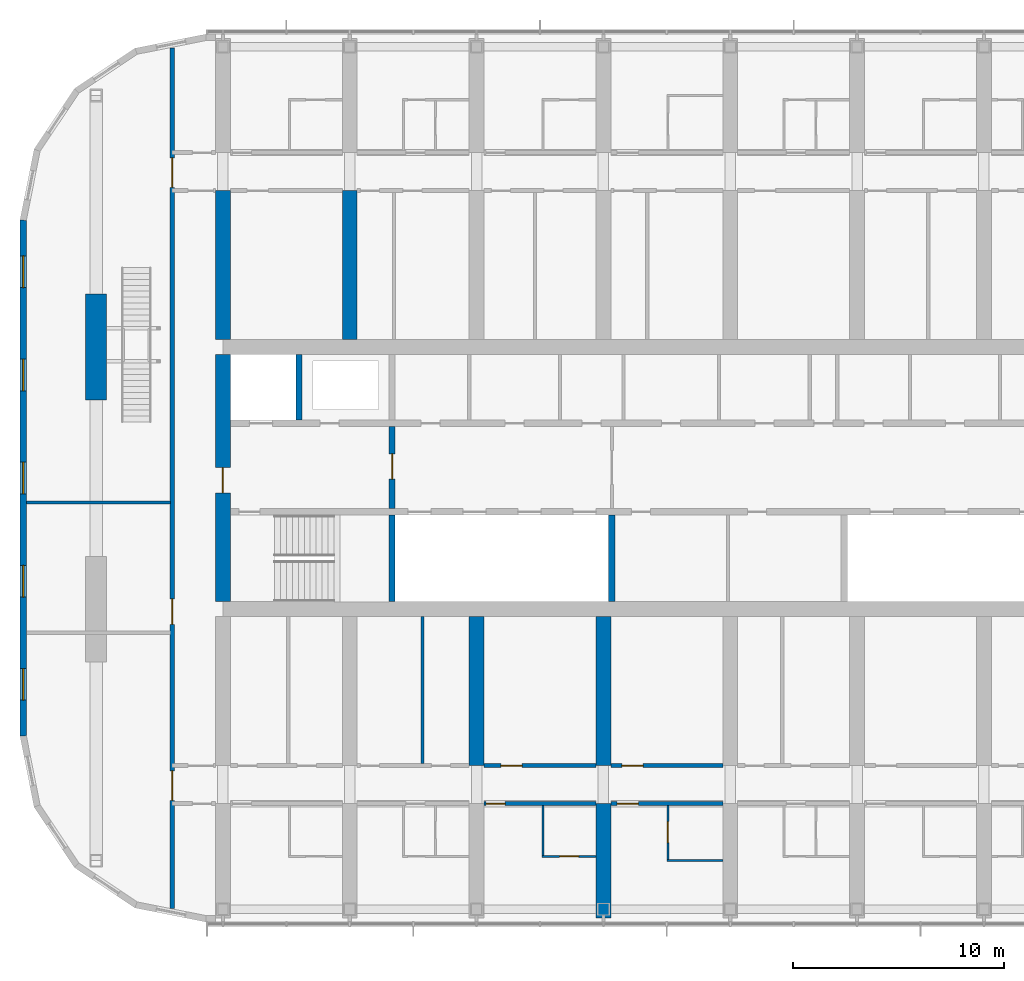
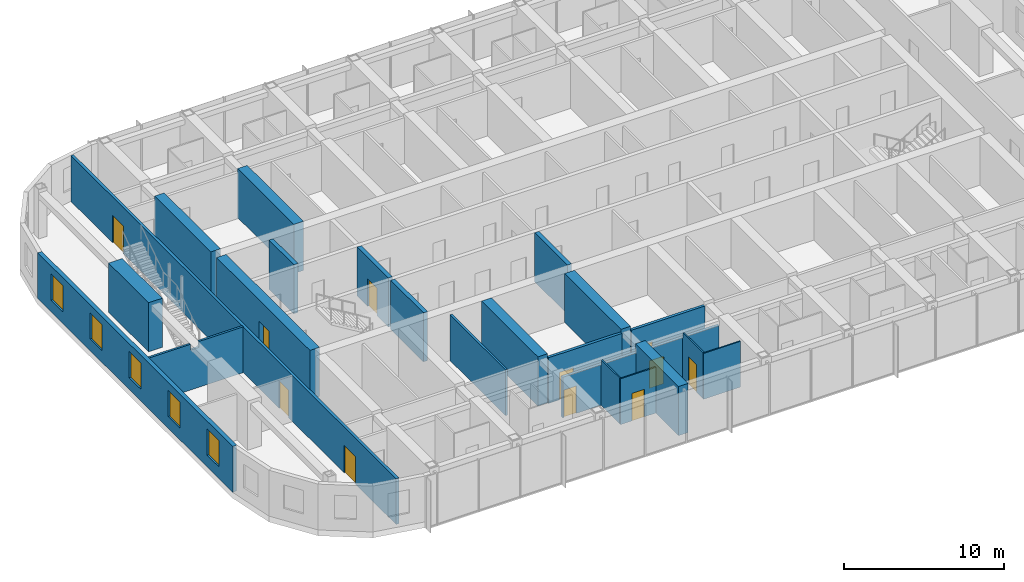
# One storey, part 14 of 28: 23 walls, 11 doors, 5 windows, 16 openings.
"""IFC4 building model written with IfcOpenShell, lengths in metres."""

from ifc_helpers import new_model, si_unit, direction, frame, frame_2d, origin, place, context, subcontext, project, spatial, polyline, rectangle, outline, extrude, material, layer, layer_set, type_object, element, fill, save


model = new_model("IFC4")

# Units and contexts
model_context = context("Model", 3, precision=1e-05, world=origin(), true_north=direction((0.0, 1.0)))
body_context = subcontext(model_context, "Body", "Model", "MODEL_VIEW")
ifc_project = project(units=[si_unit("LENGTHUNIT", "METRE"), si_unit("AREAUNIT", "SQUARE_METRE"), si_unit("VOLUMEUNIT", "CUBIC_METRE"), si_unit("PLANEANGLEUNIT", "RADIAN"), si_unit("MASSUNIT", "GRAM", prefix="KILO")], contexts=[model_context])

# Site, building, storey
site_placement = place(None, origin())
site = spatial("IfcSite", under=ifc_project, at=site_placement, CompositionType="ELEMENT")
building_placement = place(site_placement, origin())
building = spatial("IfcBuilding", under=site, at=building_placement, Name="Orbita Commons", CompositionType="ELEMENT")
storey_placement = place(building_placement, frame((0.0, 0.0, 216.550048828125)))
storey = spatial("IfcBuildingStorey", under=building, at=storey_placement, Name="L53", CompositionType="ELEMENT", Elevation=216.550048828125)

# Wall
ifc_material_1 = material(Name="Concrete C50/60", Category="concrete")
ifc_layer_1 = layer(ifc_material_1, 0.300048828125)
ifc_layer_set_1 = layer_set([ifc_layer_1], Name="Concrete C50/60")
wall_type_1 = type_object("IfcWallType", Name="Core inner wall 300 C50/60", PredefinedType="SHEAR", material=ifc_layer_set_1)
wall_1_placement = place(storey_placement, frame((26.0, 26.14990234375, 0.0), z_axis=(0.0, 0.0, 1.0), x_axis=(0.0, 1.0, 0.0)))
element("IfcWall", 1, at=wall_1_placement, inside=storey, type_object=wall_type_1, Name="Stair S1 wall L53", PredefinedType="SHEAR", context=body_context, shape_type="SweptSolid", body=[
    extrude(rectangle(XDim=4.10009765625, YDim=0.300048828125, at=frame_2d((2.050048828125, 0.0))), origin(), (0.0, 0.0, 1.0), 3.75),
])

# Wall, opening, door
wall_2_placement = place(storey_placement, frame((26.0, 30.550048828125, 0.0), z_axis=(0.0, 0.0, 1.0), x_axis=(0.0, 1.0, 0.0)))
wall_2 = element("IfcWall", 2, at=wall_2_placement, inside=storey, type_object=wall_type_1, Name="Firefighting lobby wall west L53", PredefinedType="SHEAR", context=body_context, shape_type="SweptSolid", body=[
    extrude(rectangle(XDim=3.89990234375, YDim=0.300048828125, at=frame_2d((1.949951171875, 0.0))), origin(), (0.0, 0.0, 1.0), 3.75),
])
opening_1_placement = place(wall_2_placement, frame((1.39990234375, 0.0, 0.0)))
opening_1 = element("IfcOpeningElement", 3, at=opening_1_placement, cuts=wall_2, Name="Opening D04", PredefinedType="OPENING", context=body_context, shape_type="SweptSolid", body=[
    extrude(rectangle(XDim=1.199951171875, YDim=2.10009765625, at=frame_2d((0.60009765625, 1.050048828125))), frame((0.0, 0.159912109375, 0.0), z_axis=(0.0, -1.0, 0.0), x_axis=(1.0, 0.0, 0.0)), (0.0, 0.0, 1.0), 0.320068359375),
])
ifc_material_2 = material(Name="Steel-faced fire door leaf", Category="steel")
door_type_1 = type_object("IfcDoorType", Name="Service door 20 min 1200x2100", OperationType="SINGLE_SWING_LEFT", PredefinedType="DOOR", material=ifc_material_2)
door_1_placement = place(opening_1_placement, origin())
door_1 = element("IfcDoor", 4, at=door_1_placement, inside=storey, type_object=door_type_1, Name="Lift lobby door west", OperationType="SINGLE_SWING_LEFT", OverallHeight=2.10009765625, OverallWidth=1.199951171875, PredefinedType="DOOR", context=body_context, shape_type="SweptSolid", body=[
    extrude(rectangle(XDim=1.199951171875, YDim=2.10009765625, at=frame_2d((0.60009765625, 1.050048828125))), frame((0.0, 0.02490234375, 0.0), z_axis=(0.0, -1.0, 0.0), x_axis=(1.0, 0.0, 0.0)), (0.0, 0.0, 1.0), 0.050048828125),
])
fill(opening_1, door_1)

# Walls
wall_3_placement = place(storey_placement, frame((21.60009765625, 34.75, 0.0), z_axis=(0.0, 0.0, 1.0), x_axis=(0.0, 1.0, 0.0)))
element("IfcWall", 5, at=wall_3_placement, inside=storey, type_object=wall_type_1, Name="Firefighting lift FL1 shaft wall L53", PredefinedType="SHEAR", context=body_context, shape_type="SweptSolid", body=[
    extrude(rectangle(XDim=3.10009765625, YDim=0.300048828125, at=frame_2d((1.550048828125, 0.0))), origin(), (0.0, 0.0, 1.0), 3.75),
])
wall_4_placement = place(storey_placement, frame((36.39990234375, 26.14990234375, 0.0), z_axis=(0.0, 0.0, 1.0), x_axis=(0.0, 1.0, 0.0)))
element("IfcWall", 6, at=wall_4_placement, inside=storey, type_object=wall_type_1, Name="Hoistway division wall L53", PredefinedType="SHEAR", context=body_context, shape_type="SweptSolid", body=[
    extrude(rectangle(XDim=4.10009765625, YDim=0.300048828125, at=frame_2d((2.050048828125, 0.0))), origin(), (0.0, 0.0, 1.0), 3.75),
])

# Wall, opening, door
ifc_material_3 = material(Name="Concrete C50/60", Category="concrete")
ifc_layer_2 = layer(ifc_material_3, 0.699951171875)
ifc_layer_set_2 = layer_set([ifc_layer_2], Name="Concrete C50/60")
wall_type_2 = type_object("IfcWallType", Name="Core wall 700 C50/60", PredefinedType="SHEAR", material=ifc_layer_set_2)
wall_5_placement = place(storey_placement, frame((18.0, 26.14990234375, 0.0), z_axis=(0.0, 0.0, 1.0), x_axis=(0.0, 1.0, 0.0)))
wall_5 = element("IfcWall", 7, at=wall_5_placement, inside=storey, type_object=wall_type_2, Name="Core end wall west L53", PredefinedType="SHEAR", context=body_context, shape_type="SweptSolid", body=[
    extrude(rectangle(XDim=11.7001953125, YDim=0.699951171875, at=frame_2d((5.85009765625, 0.0))), origin(), (0.0, 0.0, 1.0), 3.75),
])
opening_2_placement = place(wall_5_placement, frame((5.14990234375, 0.0, 0.0)))
opening_2 = element("IfcOpeningElement", 8, at=opening_2_placement, cuts=wall_5, Name="Opening D01", PredefinedType="OPENING", context=body_context, shape_type="SweptSolid", body=[
    extrude(rectangle(XDim=1.199951171875, YDim=2.10009765625, at=frame_2d((0.60009765625, 1.050048828125))), frame((0.0, 0.35986328125, 0.0), z_axis=(0.0, -1.0, 0.0), x_axis=(1.0, 0.0, 0.0)), (0.0, 0.0, 1.0), 0.719970703125),
])
ifc_material_4 = material(Name="Steel-faced fire door leaf", Category="steel")
door_type_2 = type_object("IfcDoorType", Name="Fire door 90 min 1200x2100", OperationType="SINGLE_SWING_LEFT", PredefinedType="DOOR", material=ifc_material_4)
door_2_placement = place(opening_2_placement, origin())
door_2 = element("IfcDoor", 9, at=door_2_placement, inside=storey, type_object=door_type_2, Name="Firefighting lobby west door", OperationType="SINGLE_SWING_LEFT", OverallHeight=2.10009765625, OverallWidth=1.199951171875, PredefinedType="DOOR", context=body_context, shape_type="SweptSolid", body=[
    extrude(rectangle(XDim=1.199951171875, YDim=2.10009765625, at=frame_2d((0.60009765625, 1.050048828125))), frame((0.0, 0.02490234375, 0.0), z_axis=(0.0, -1.0, 0.0), x_axis=(1.0, 0.0, 0.0)), (0.0, 0.0, 1.0), 0.050048828125),
])
fill(opening_2, door_2)

ifc_material_5 = material(Name="Concrete blockwork", Category="masonry")
ifc_layer_3 = layer(ifc_material_5, 0.199951171875)
ifc_layer_set_3 = layer_set([ifc_layer_3], Name="Concrete blockwork")
wall_type_3 = type_object("IfcWallType", Name="Corridor wall 200 blockwork", PredefinedType="SOLIDWALL", material=ifc_layer_set_3)
wall_6_placement = place(storey_placement, frame((30.35009765625, 16.60009765625, 0.0), z_axis=(0.0, 0.0, 1.0), x_axis=(1.0, 0.0, 0.0)))
wall_6 = element("IfcWall", 10, at=wall_6_placement, inside=storey, type_object=wall_type_3, Name="Corridor wall 200 blockwork L53", PredefinedType="SOLIDWALL", context=body_context, shape_type="SweptSolid", body=[
    extrude(outline(polyline([(0.0, 0.0), (5.2998046875, 0.0), (5.300048828125, 3.099853515625), (0.0, 3.099853515625), (0.0, 0.0)])), frame((0.0, 0.10009765625, 0.0), z_axis=(0.0, -1.0, 0.0), x_axis=(1.0, 0.0, 0.0)), (0.0, 0.0, 1.0), 0.199951171875),
])
opening_3_placement = place(wall_6_placement, frame((0.10009765625, 0.0, 0.0)))
opening_3 = element("IfcOpeningElement", 11, at=opening_3_placement, cuts=wall_6, Name="Opening D11", PredefinedType="OPENING", context=body_context, shape_type="SweptSolid", body=[
    extrude(rectangle(XDim=0.89990234375, YDim=2.10009765625, at=frame_2d((0.449951171875, 1.050048828125))), frame((0.0, 0.10986328125, 0.0), z_axis=(0.0, -1.0, 0.0), x_axis=(1.0, 0.0, 0.0)), (0.0, 0.0, 1.0), 0.219970703125),
])
ifc_material_6 = material(Name="Steel-faced fire door leaf", Category="steel")
door_type_3 = type_object("IfcDoorType", Name="Corridor door 20 min 900x2100", OperationType="SINGLE_SWING_LEFT", PredefinedType="DOOR", material=ifc_material_6)
door_3_placement = place(opening_3_placement, origin())
door_3 = element("IfcDoor", 12, at=door_3_placement, inside=storey, type_object=door_type_3, Name="Studio apartment with kitchenette L53-S04 door", OperationType="SINGLE_SWING_LEFT", OverallHeight=2.10009765625, OverallWidth=0.89990234375, PredefinedType="DOOR", context=body_context, shape_type="SweptSolid", body=[
    extrude(rectangle(XDim=0.89990234375, YDim=2.10009765625, at=frame_2d((0.449951171875, 1.050048828125))), frame((0.0, 0.02490234375, 0.0), z_axis=(0.0, -1.0, 0.0), x_axis=(1.0, 0.0, 0.0)), (0.0, 0.0, 1.0), 0.050048828125),
])
fill(opening_3, door_3)

wall_7_placement = place(storey_placement, frame((36.35009765625, 16.60009765625, 0.0), z_axis=(0.0, 0.0, 1.0), x_axis=(1.0, 0.0, 0.0)))
wall_7 = element("IfcWall", 13, at=wall_7_placement, inside=storey, type_object=wall_type_3, Name="Corridor wall 200 blockwork L53", PredefinedType="SOLIDWALL", context=body_context, shape_type="SweptSolid", body=[
    extrude(outline(polyline([(0.0, 0.0), (5.2998046875, 0.0), (5.300048828125, 3.099853515625), (0.0, 3.099853515625), (0.0, 0.0)])), frame((0.0, 0.10009765625, 0.0), z_axis=(0.0, -1.0, 0.0), x_axis=(1.0, 0.0, 0.0)), (0.0, 0.0, 1.0), 0.199951171875),
])
opening_4_placement = place(wall_7_placement, frame((0.300048828125, 0.0, 0.0)))
opening_4 = element("IfcOpeningElement", 14, at=opening_4_placement, cuts=wall_7, Name="Opening D06", PredefinedType="OPENING", context=body_context, shape_type="SweptSolid", body=[
    extrude(rectangle(XDim=1.0, YDim=2.10009765625, at=frame_2d((0.5, 1.050048828125))), frame((0.0, 0.10986328125, 0.0), z_axis=(0.0, -1.0, 0.0), x_axis=(1.0, 0.0, 0.0)), (0.0, 0.0, 1.0), 0.219970703125),
])
ifc_material_7 = material(Name="Steel-faced fire door leaf", Category="steel")
door_type_4 = type_object("IfcDoorType", Name="Corridor door 20 min 1000x2100", OperationType="SINGLE_SWING_LEFT", PredefinedType="DOOR", material=ifc_material_7)
door_4_placement = place(opening_4_placement, origin())
door_4 = element("IfcDoor", 15, at=door_4_placement, inside=storey, type_object=door_type_4, Name="Accessible bedroom L53-S06 door", OperationType="SINGLE_SWING_LEFT", OverallHeight=2.10009765625, OverallWidth=1.0, PredefinedType="DOOR", context=body_context, shape_type="SweptSolid", body=[
    extrude(rectangle(XDim=1.0, YDim=2.10009765625, at=frame_2d((0.5, 1.050048828125))), frame((0.0, 0.02490234375, 0.0), z_axis=(0.0, -1.0, 0.0), x_axis=(1.0, 0.0, 0.0)), (0.0, 0.0, 1.0), 0.050048828125),
])
fill(opening_4, door_4)

# Wall, openings, doors
wall_8_placement = place(storey_placement, frame((15.60009765625, 11.646240234375, 0.0), z_axis=(0.0, 0.0, 1.0), x_axis=(0.0, 1.0, 0.0)))
wall_8 = element("IfcWall", 16, at=wall_8_placement, inside=storey, type_object=wall_type_3, Name="Corridor wall 200 blockwork L53", PredefinedType="SOLIDWALL", context=body_context, shape_type="SweptSolid", body=[
    extrude(rectangle(XDim=40.70751953125, YDim=0.199951171875, at=frame_2d((20.353759765625, 0.0))), origin(), (0.0, 0.0, 1.0), 3.5),
])
opening_5_placement = place(wall_8_placement, frame((13.433837890625, 0.0, 0.0)))
opening_5 = element("IfcOpeningElement", 17, at=opening_5_placement, cuts=wall_8, Name="Opening D15", PredefinedType="OPENING", context=body_context, shape_type="SweptSolid", body=[
    extrude(rectangle(XDim=1.199951171875, YDim=2.10009765625, at=frame_2d((0.60009765625, 1.050048828125))), frame((0.0, 0.10986328125, 0.0), z_axis=(0.0, -1.0, 0.0), x_axis=(1.0, 0.0, 0.0)), (0.0, 0.0, 1.0), 0.219970703125),
])
opening_6_placement = place(wall_8_placement, frame((5.103759765625, 0.0, 0.0)))
opening_6 = element("IfcOpeningElement", 18, at=opening_6_placement, cuts=wall_8, Name="Opening D08", PredefinedType="OPENING", context=body_context, shape_type="SweptSolid", body=[
    extrude(rectangle(XDim=1.39990234375, YDim=2.10009765625, at=frame_2d((0.699951171875, 1.050048828125))), frame((0.0, 0.10986328125, 0.0), z_axis=(0.0, -1.0, 0.0), x_axis=(1.0, 0.0, 0.0)), (0.0, 0.0, 1.0), 0.219970703125),
])
opening_7_placement = place(wall_8_placement, frame((34.103759765625, 0.0, 0.0)))
opening_7 = element("IfcOpeningElement", 19, at=opening_7_placement, cuts=wall_8, Name="Opening D08", PredefinedType="OPENING", context=body_context, shape_type="SweptSolid", body=[
    extrude(rectangle(XDim=1.39990234375, YDim=2.10009765625, at=frame_2d((0.699951171875, 1.050048828125))), frame((0.0, 0.10986328125, 0.0), z_axis=(0.0, -1.0, 0.0), x_axis=(1.0, 0.0, 0.0)), (0.0, 0.0, 1.0), 0.219970703125),
])
ifc_material_8 = material(Name="Steel-faced fire door leaf", Category="steel")
door_type_5 = type_object("IfcDoorType", Name="Corridor door 20 min 1200x2100", OperationType="SINGLE_SWING_LEFT", PredefinedType="DOOR", material=ifc_material_8)
door_5_placement = place(opening_5_placement, origin())
door_5 = element("IfcDoor", 20, at=door_5_placement, inside=storey, type_object=door_type_5, Name="Study hall door", OperationType="SINGLE_SWING_LEFT", OverallHeight=2.10009765625, OverallWidth=1.199951171875, PredefinedType="DOOR", context=body_context, shape_type="SweptSolid", body=[
    extrude(rectangle(XDim=1.199951171875, YDim=2.10009765625, at=frame_2d((0.60009765625, 1.050048828125))), frame((0.0, 0.02490234375, 0.0), z_axis=(0.0, -1.0, 0.0), x_axis=(1.0, 0.0, 0.0)), (0.0, 0.0, 1.0), 0.050048828125),
])
fill(opening_5, door_5)
ifc_material_9 = material(Name="Steel-faced fire door leaf", Category="steel")
door_type_6 = type_object("IfcDoorType", Name="Double corridor door 20 min 1400x2100", OperationType="DOUBLE_DOOR_SINGLE_SWING", PredefinedType="DOOR", material=ifc_material_9)
door_6_placement = place(opening_6_placement, origin())
door_6 = element("IfcDoor", 21, at=door_6_placement, inside=storey, type_object=door_type_6, Name="Lounge doors", OperationType="DOUBLE_DOOR_SINGLE_SWING", OverallHeight=2.10009765625, OverallWidth=1.39990234375, PredefinedType="DOOR", context=body_context, shape_type="SweptSolid", body=[
    extrude(rectangle(XDim=1.39990234375, YDim=2.10009765625, at=frame_2d((0.699951171875, 1.050048828125))), frame((0.0, 0.02490234375, 0.0), z_axis=(0.0, -1.0, 0.0), x_axis=(1.0, 0.0, 0.0)), (0.0, 0.0, 1.0), 0.050048828125),
])
fill(opening_6, door_6)
door_7_placement = place(opening_7_placement, origin())
door_7 = element("IfcDoor", 22, at=door_7_placement, inside=storey, type_object=door_type_6, Name="Lounge doors", OperationType="DOUBLE_DOOR_SINGLE_SWING", OverallHeight=2.10009765625, OverallWidth=1.39990234375, PredefinedType="DOOR", context=body_context, shape_type="SweptSolid", body=[
    extrude(rectangle(XDim=1.39990234375, YDim=2.10009765625, at=frame_2d((0.699951171875, 1.050048828125))), frame((0.0, 0.02490234375, 0.0), z_axis=(0.0, -1.0, 0.0), x_axis=(1.0, 0.0, 0.0)), (0.0, 0.0, 1.0), 0.050048828125),
])
fill(opening_7, door_7)

# Wall, opening, door
ifc_material_10 = material(Name="Hollow concrete block 200", Category="concrete")
ifc_layer_4 = layer(ifc_material_10, 0.199951171875)
ifc_layer_set_4 = layer_set([ifc_layer_4], Name="Hollow concrete block 200")
wall_type_4 = type_object("IfcWallType", Name="Corridor wall 200 hollow concrete block", PredefinedType="SOLIDWALL", material=ifc_layer_set_4)
wall_9_placement = place(storey_placement, frame((30.35009765625, 18.39990234375, 0.0), z_axis=(0.0, 0.0, 1.0), x_axis=(1.0, 0.0, 0.0)))
wall_9 = element("IfcWall", 23, at=wall_9_placement, inside=storey, type_object=wall_type_4, Name="Corridor wall 200 hollow concrete block L53", PredefinedType="SOLIDWALL", context=body_context, shape_type="SweptSolid", body=[
    extrude(rectangle(XDim=5.2998046875, YDim=0.199951171875, at=frame_2d((2.64990234375, 0.0))), origin(), (0.0, 0.0, 1.0), 3.5),
])
opening_8_placement = place(wall_9_placement, frame((0.800048828125, 0.0, 0.0)))
opening_8 = element("IfcOpeningElement", 24, at=opening_8_placement, cuts=wall_9, Name="Opening D06", PredefinedType="OPENING", context=body_context, shape_type="SweptSolid", body=[
    extrude(rectangle(XDim=1.0, YDim=2.10009765625, at=frame_2d((0.5, 1.050048828125))), frame((0.0, 0.10986328125, 0.0), z_axis=(0.0, -1.0, 0.0), x_axis=(1.0, 0.0, 0.0)), (0.0, 0.0, 1.0), 0.219970703125),
])
door_8_placement = place(opening_8_placement, origin())
door_8 = element("IfcDoor", 25, at=door_8_placement, inside=storey, type_object=door_type_4, Name="Linen store L53-BDS30 door", OperationType="SINGLE_SWING_LEFT", OverallHeight=2.10009765625, OverallWidth=1.0, PredefinedType="DOOR", context=body_context, shape_type="SweptSolid", body=[
    extrude(rectangle(XDim=1.0, YDim=2.10009765625, at=frame_2d((0.5, 1.050048828125))), frame((0.0, 0.02490234375, 0.0), z_axis=(0.0, -1.0, 0.0), x_axis=(1.0, 0.0, 0.0)), (0.0, 0.0, 1.0), 0.050048828125),
])
fill(opening_8, door_8)

wall_10_placement = place(storey_placement, frame((36.35009765625, 18.39990234375, 0.0), z_axis=(0.0, 0.0, 1.0), x_axis=(1.0, 0.0, 0.0)))
wall_10 = element("IfcWall", 26, at=wall_10_placement, inside=storey, type_object=wall_type_4, Name="Corridor wall 200 hollow concrete block L53", PredefinedType="SOLIDWALL", context=body_context, shape_type="SweptSolid", body=[
    extrude(rectangle(XDim=5.2998046875, YDim=0.199951171875, at=frame_2d((2.64990234375, 0.0))), origin(), (0.0, 0.0, 1.0), 3.5),
])
opening_9_placement = place(wall_10_placement, frame((0.52490234375, 0.0, 0.0)))
opening_9 = element("IfcOpeningElement", 27, at=opening_9_placement, cuts=wall_10, Name="Opening D06", PredefinedType="OPENING", context=body_context, shape_type="SweptSolid", body=[
    extrude(rectangle(XDim=1.0, YDim=2.10009765625, at=frame_2d((0.5, 1.050048828125))), frame((0.0, 0.10986328125, 0.0), z_axis=(0.0, -1.0, 0.0), x_axis=(1.0, 0.0, 0.0)), (0.0, 0.0, 1.0), 0.219970703125),
])
door_9_placement = place(opening_9_placement, origin())
door_9 = element("IfcDoor", 28, at=door_9_placement, inside=storey, type_object=door_type_4, Name="Pantry L53-BDS36 door", OperationType="SINGLE_SWING_LEFT", OverallHeight=2.10009765625, OverallWidth=1.0, PredefinedType="DOOR", context=body_context, shape_type="SweptSolid", body=[
    extrude(rectangle(XDim=1.0, YDim=2.10009765625, at=frame_2d((0.5, 1.050048828125))), frame((0.0, 0.02490234375, 0.0), z_axis=(0.0, -1.0, 0.0), x_axis=(1.0, 0.0, 0.0)), (0.0, 0.0, 1.0), 0.050048828125),
])
fill(opening_9, door_9)

# Walls
ifc_material_11 = material(Name="Concrete C50/60", Category="concrete")
ifc_layer_5 = layer(ifc_material_11, 0.699951171875)
ifc_layer_set_5 = layer_set([ifc_layer_5], Name="Concrete C50/60")
wall_type_5 = type_object("IfcWallType", Name="Cross wall 700 C50/60", PredefinedType="SHEAR", material=ifc_layer_set_5)
for number, where, z_axis, x_axis, name in (
    (29, (18.0, 38.550048828125, 0.0), (0.0, 0.0, 1.0), (0.0, 1.0, 0.0), "Cross wall 4 north inner L53"),
    (30, (24.0, 38.550048828125, 0.0), (0.0, 0.0, 1.0), (0.0, 1.0, 0.0), "Cross wall 5 north inner L53"),
    (31, (30.0, 18.39990234375, 0.0), (0.0, 0.0, 1.0), (0.0, 1.0, 0.0), "Cross wall 6 south inner L53"),
):
    element("IfcWall", number, at=place(storey_placement, frame(where, z_axis=z_axis, x_axis=x_axis)), inside=storey, type_object=wall_type_5, Name=name, PredefinedType="SHEAR", context=body_context, shape_type="SweptSolid", body=[
        extrude(rectangle(XDim=7.050048828125, YDim=0.699951171875, at=frame_2d((3.52490234375, 0.0))), origin(), (0.0, 0.0, 1.0), 3.75),
    ])
wall_11_placement = place(storey_placement, frame((36.0, 11.199951171875, 0.0), z_axis=(0.0, 0.0, 1.0), x_axis=(0.0, 1.0, 0.0)))
element("IfcWall", 32, at=wall_11_placement, inside=storey, type_object=wall_type_5, Name="Cross wall 7 south outer L53", PredefinedType="SHEAR", context=body_context, shape_type="SweptSolid", body=[
    extrude(rectangle(XDim=5.400146484375, YDim=0.699951171875, at=frame_2d((2.7001953125, 0.0))), origin(), (0.0, 0.0, 1.0), 3.75),
])
wall_12_placement = place(storey_placement, frame((36.0, 18.39990234375, 0.0), z_axis=(0.0, 0.0, 1.0), x_axis=(0.0, 1.0, 0.0)))
element("IfcWall", 33, at=wall_12_placement, inside=storey, type_object=wall_type_5, Name="Cross wall 7 south inner L53", PredefinedType="SHEAR", context=body_context, shape_type="SweptSolid", body=[
    extrude(rectangle(XDim=7.050048828125, YDim=0.699951171875, at=frame_2d((3.52490234375, 0.0))), origin(), (0.0, 0.0, 1.0), 3.75),
])

# Wall, opening, door
ifc_material_12 = material(Name="Moisture-resistant plasterboard on steel studs", Category="steel")
ifc_layer_6 = layer(ifc_material_12, 0.10009765625)
ifc_layer_set_6 = layer_set([ifc_layer_6], Name="Moisture-resistant plasterboard on steel studs")
wall_type_6 = type_object("IfcWallType", Name="En-suite partition 100", PredefinedType="PARTITIONING", material=ifc_layer_set_6)
wall_13_placement = place(storey_placement, frame((35.64990234375, 14.10009765625, 0.0), z_axis=(0.0, 0.0, 1.0), x_axis=(-1.0, 0.0, 0.0)))
wall_13 = element("IfcWall", 34, at=wall_13_placement, inside=storey, type_object=wall_type_6, Name="En-suite partition 100 L53", PredefinedType="PARTITIONING", context=body_context, shape_type="SweptSolid", body=[
    extrude(rectangle(XDim=2.5498046875, YDim=0.10009765625, at=frame_2d((1.27490234375, 0.0))), origin(), (0.0, 0.0, 1.0), 3.5),
])
opening_10_placement = place(wall_13_placement, frame((0.824951171875, 0.0, 0.0)))
opening_10 = element("IfcOpeningElement", 35, at=opening_10_placement, cuts=wall_13, Name="Opening D09", PredefinedType="OPENING", context=body_context, shape_type="SweptSolid", body=[
    extrude(rectangle(XDim=0.89990234375, YDim=2.10009765625, at=frame_2d((0.449951171875, 1.050048828125))), frame((0.0, 0.06005859375, 0.0), z_axis=(0.0, -1.0, 0.0), x_axis=(1.0, 0.0, 0.0)), (0.0, 0.0, 1.0), 0.1201171875),
])
ifc_material_13 = material(Name="Laminated timber door leaf", Category="wood")
door_type_7 = type_object("IfcDoorType", Name="En-suite door 900x2100", OperationType="SINGLE_SWING_RIGHT", PredefinedType="DOOR", material=ifc_material_13)
door_10_placement = place(opening_10_placement, origin())
door_10 = element("IfcDoor", 36, at=door_10_placement, inside=storey, type_object=door_type_7, Name="En-suite L53-S04 door", OperationType="SINGLE_SWING_RIGHT", OverallHeight=2.10009765625, OverallWidth=0.89990234375, PredefinedType="DOOR", context=body_context, shape_type="SweptSolid", body=[
    extrude(rectangle(XDim=0.89990234375, YDim=2.10009765625, at=frame_2d((0.449951171875, 1.050048828125))), frame((0.0, 0.02490234375, 0.0), z_axis=(0.0, -1.0, 0.0), x_axis=(1.0, 0.0, 0.0)), (0.0, 0.0, 1.0), 0.050048828125),
])
fill(opening_10, door_10)

# Walls
wall_14_placement = place(storey_placement, frame((33.14990234375, 14.14990234375, 0.0), z_axis=(0.0, 0.0, 1.0), x_axis=(0.0, 1.0, 0.0)))
element("IfcWall", 37, at=wall_14_placement, inside=storey, type_object=wall_type_6, Name="En-suite partition 100 L53", PredefinedType="PARTITIONING", context=body_context, shape_type="SweptSolid", body=[
    extrude(outline(polyline([(0.0, 0.0), (2.35009765625, 0.0), (2.35009765625, 3.099853515625), (2.302001953125, 3.099853515625), (2.300048828125, 3.5), (0.0, 3.5), (0.0, 0.0)])), frame((0.0, 0.050048828125, 0.0), z_axis=(0.0, -1.0, 0.0), x_axis=(1.0, 0.0, 0.0)), (0.0, 0.0, 1.0), 0.10009765625),
])
wall_15_placement = place(storey_placement, frame((39.0, 13.89990234375, 0.0), z_axis=(0.0, 0.0, 1.0), x_axis=(1.0, 0.0, 0.0)))
element("IfcWall", 38, at=wall_15_placement, inside=storey, type_object=wall_type_6, Name="En-suite partition 100 L53", PredefinedType="PARTITIONING", context=body_context, shape_type="SweptSolid", body=[
    extrude(rectangle(XDim=2.64990234375, YDim=0.10009765625, at=frame_2d((1.324951171875, 0.0))), origin(), (0.0, 0.0, 1.0), 3.5),
])

# Wall, opening, door
wall_16_placement = place(storey_placement, frame((39.050048828125, 13.949951171875, 0.0), z_axis=(0.0, 0.0, 1.0), x_axis=(0.0, 1.0, 0.0)))
wall_16 = element("IfcWall", 39, at=wall_16_placement, inside=storey, type_object=wall_type_6, Name="En-suite partition 100 L53", PredefinedType="PARTITIONING", context=body_context, shape_type="SweptSolid", body=[
    extrude(outline(polyline([(0.0, 0.0), (2.550048828125, 0.0), (2.550048828125, 3.099853515625), (2.501953125, 3.099853515625), (2.5, 3.5), (0.0, 3.5), (0.0, 0.0)])), frame((0.0, 0.050048828125, 0.0), z_axis=(0.0, -1.0, 0.0), x_axis=(1.0, 0.0, 0.0)), (0.0, 0.0, 1.0), 0.10009765625),
])
opening_11_placement = place(wall_16_placement, frame((0.800048828125, 0.0, 0.0)))
opening_11 = element("IfcOpeningElement", 40, at=opening_11_placement, cuts=wall_16, Name="Opening D13", PredefinedType="OPENING", context=body_context, shape_type="SweptSolid", body=[
    extrude(rectangle(XDim=1.0, YDim=2.10009765625, at=frame_2d((0.5, 1.050048828125))), frame((0.0, 0.06005859375, 0.0), z_axis=(0.0, -1.0, 0.0), x_axis=(1.0, 0.0, 0.0)), (0.0, 0.0, 1.0), 0.1201171875),
])
ifc_material_14 = material(Name="Laminated timber door leaf", Category="wood")
door_type_8 = type_object("IfcDoorType", Name="En-suite door 1000x2100", OperationType="SINGLE_SWING_RIGHT", PredefinedType="DOOR", material=ifc_material_14)
door_11_placement = place(opening_11_placement, origin())
door_11 = element("IfcDoor", 41, at=door_11_placement, inside=storey, type_object=door_type_8, Name="Accessible shower room L53-S06 door", OperationType="SINGLE_SWING_RIGHT", OverallHeight=2.10009765625, OverallWidth=1.0, PredefinedType="DOOR", context=body_context, shape_type="SweptSolid", body=[
    extrude(rectangle(XDim=1.0, YDim=2.10009765625, at=frame_2d((0.5, 1.050048828125))), frame((0.0, 0.02490234375, 0.0), z_axis=(0.0, -1.0, 0.0), x_axis=(1.0, 0.0, 0.0)), (0.0, 0.0, 1.0), 0.050048828125),
])
fill(opening_11, door_11)

# Walls
ifc_material_15 = material(Name="Concrete C50/60", Category="concrete")
ifc_layer_7 = layer(ifc_material_15, 1.0)
ifc_layer_set_7 = layer_set([ifc_layer_7], Name="Concrete C50/60")
wall_type_7 = type_object("IfcWallType", Name="End pier 1000x5000 C50/60", PredefinedType="SHEAR", material=ifc_layer_set_7)
wall_17_placement = place(storey_placement, frame((12.0, 35.699951171875, 0.0), z_axis=(0.0, 0.0, 1.0), x_axis=(0.0, 1.0, 0.0)))
element("IfcWall", 42, at=wall_17_placement, inside=storey, type_object=wall_type_7, Name="End pier 3/D L53", PredefinedType="SHEAR", context=body_context, shape_type="SweptSolid", body=[
    extrude(rectangle(XDim=5.0, YDim=1.0, at=frame_2d((2.5, 0.0))), origin(), (0.0, 0.0, 1.0), 3.75),
])
ifc_material_16 = material(Name="Gypsum plasterboard on steel studs", Category="steel")
ifc_layer_8 = layer(ifc_material_16, 0.14990234375)
ifc_layer_set_8 = layer_set([ifc_layer_8], Name="Gypsum plasterboard on steel studs")
wall_type_8 = type_object("IfcWallType", Name="Partition 150 plasterboard", PredefinedType="PARTITIONING", material=ifc_layer_set_8)
wall_18_placement = place(storey_placement, frame((27.43994140625, 18.5, 0.0), z_axis=(0.0, 0.0, 1.0), x_axis=(0.0, 1.0, 0.0)))
element("IfcWall", 43, at=wall_18_placement, inside=storey, type_object=wall_type_8, Name="Partition 150 plasterboard L53", PredefinedType="PARTITIONING", context=body_context, shape_type="SweptSolid", body=[
    extrude(rectangle(XDim=6.949951171875, YDim=0.14990234375, at=frame_2d((3.47509765625, 0.0))), origin(), (0.0, 0.0, 1.0), 3.5),
])
wall_19_placement = place(storey_placement, frame((8.705078125, 30.85009765625, 0.0), z_axis=(0.0, 0.0, 1.0), x_axis=(1.0, 0.0, 0.0)))
element("IfcWall", 44, at=wall_19_placement, inside=storey, type_object=wall_type_8, Name="Partition 150 plasterboard L53", PredefinedType="PARTITIONING", context=body_context, shape_type="SweptSolid", body=[
    extrude(outline(polyline([(0.0, 0.0), (6.81982421875, 0.0), (6.820068359375, 3.5), (3.596923828125, 3.5), (3.594970703125, 3.050048828125), (2.9970703125, 3.050048828125), (2.9951171875, 3.5), (0.0, 3.5), (0.0, 0.0)])), frame((0.0, 0.074951171875, 0.0), z_axis=(0.0, -1.0, 0.0), x_axis=(1.0, 0.0, 0.0)), (0.0, 0.0, 1.0), 0.14990234375),
])

# Wall, openings, windows
ifc_material_17 = material(Name="Precast concrete C40/50, white board-marked finish", Category="concrete")
ifc_layer_9 = layer(ifc_material_17, 0.300048828125)
ifc_layer_set_9 = layer_set([ifc_layer_9], Name="Precast concrete C40/50, white board-marked finish")
wall_type_9 = type_object("IfcWallType", Name="Precast concrete end shield 300", PredefinedType="SOLIDWALL", material=ifc_layer_set_9)
wall_20_placement = place(storey_placement, frame((8.550048828125, 44.199951171875, 0.0), z_axis=(0.0, 0.0, 1.0), x_axis=(0.0, -1.0, 0.0)))
wall_20 = element("IfcWall", 45, at=wall_20_placement, inside=storey, type_object=wall_type_9, Name="End shield W L53", PredefinedType="SOLIDWALL", context=body_context, shape_type="SweptSolid", body=[
    extrude(outline(polyline([(-0.014892578125, -0.14990234375), (24.414794921875, -0.14990234375), (24.385009765625, 0.14990234375), (0.014892578125, 0.14990234375), (-0.014892578125, -0.14990234375)])), origin(), (0.0, 0.0, 1.0), 3.5),
])
opening_12_placement = place(wall_20_placement, frame((1.68994140625, 0.0, 0.89990234375)))
opening_12 = element("IfcOpeningElement", 46, at=opening_12_placement, cuts=wall_20, Name="Opening W01", PredefinedType="OPENING", context=body_context, shape_type="SweptSolid", body=[
    extrude(rectangle(XDim=1.5, YDim=2.0, at=frame_2d((0.75, 1.0))), frame((0.0, 0.159912109375, 0.0), z_axis=(0.0, -1.0, 0.0), x_axis=(1.0, 0.0, 0.0)), (0.0, 0.0, 1.0), 0.320068359375),
])
opening_13_placement = place(wall_20_placement, frame((6.570068359375, 0.0, 0.89990234375)))
opening_13 = element("IfcOpeningElement", 47, at=opening_13_placement, cuts=wall_20, Name="Opening W01", PredefinedType="OPENING", context=body_context, shape_type="SweptSolid", body=[
    extrude(rectangle(XDim=1.5, YDim=2.0, at=frame_2d((0.75, 1.0))), frame((0.0, 0.159912109375, 0.0), z_axis=(0.0, -1.0, 0.0), x_axis=(1.0, 0.0, 0.0)), (0.0, 0.0, 1.0), 0.320068359375),
])
opening_14_placement = place(wall_20_placement, frame((11.449951171875, 0.0, 0.89990234375)))
opening_14 = element("IfcOpeningElement", 48, at=opening_14_placement, cuts=wall_20, Name="Opening W01", PredefinedType="OPENING", context=body_context, shape_type="SweptSolid", body=[
    extrude(rectangle(XDim=1.5, YDim=2.0, at=frame_2d((0.75, 1.0))), frame((0.0, 0.159912109375, 0.0), z_axis=(0.0, -1.0, 0.0), x_axis=(1.0, 0.0, 0.0)), (0.0, 0.0, 1.0), 0.320068359375),
])
opening_15_placement = place(wall_20_placement, frame((16.330078125, 0.0, 0.89990234375)))
opening_15 = element("IfcOpeningElement", 49, at=opening_15_placement, cuts=wall_20, Name="Opening W01", PredefinedType="OPENING", context=body_context, shape_type="SweptSolid", body=[
    extrude(rectangle(XDim=1.5, YDim=2.0, at=frame_2d((0.75, 1.0))), frame((0.0, 0.159912109375, 0.0), z_axis=(0.0, -1.0, 0.0), x_axis=(1.0, 0.0, 0.0)), (0.0, 0.0, 1.0), 0.320068359375),
])
opening_16_placement = place(wall_20_placement, frame((21.2099609375, 0.0, 0.89990234375)))
opening_16 = element("IfcOpeningElement", 50, at=opening_16_placement, cuts=wall_20, Name="Opening W01", PredefinedType="OPENING", context=body_context, shape_type="SweptSolid", body=[
    extrude(rectangle(XDim=1.5, YDim=2.0, at=frame_2d((0.75, 1.0))), frame((0.0, 0.159912109375, 0.0), z_axis=(0.0, -1.0, 0.0), x_axis=(1.0, 0.0, 0.0)), (0.0, 0.0, 1.0), 0.320068359375),
])
ifc_material_18 = material(Name="Aluminium frame, clear double glazing", Category="aluminium")
window_type = type_object("IfcWindowType", Name="Deep-set window 1500x2000", PartitioningType="SINGLE_PANEL", PredefinedType="WINDOW", material=ifc_material_18)
window_1_placement = place(opening_12_placement, origin())
window_1 = element("IfcWindow", 51, at=window_1_placement, inside=storey, type_object=window_type, Name="Window L53-W 1", OverallHeight=2.0, OverallWidth=1.5, PartitioningType="SINGLE_PANEL", PredefinedType="WINDOW", context=body_context, shape_type="SweptSolid", body=[
    extrude(rectangle(XDim=1.5, YDim=2.0, at=frame_2d((0.75, 1.0))), frame((0.0, 0.030029296875, 0.0), z_axis=(0.0, -1.0, 0.0), x_axis=(1.0, 0.0, 0.0)), (0.0, 0.0, 1.0), 0.06005859375),
])
fill(opening_12, window_1)
window_2_placement = place(opening_13_placement, origin())
window_2 = element("IfcWindow", 52, at=window_2_placement, inside=storey, type_object=window_type, Name="Window L53-W 2", OverallHeight=2.0, OverallWidth=1.5, PartitioningType="SINGLE_PANEL", PredefinedType="WINDOW", context=body_context, shape_type="SweptSolid", body=[
    extrude(rectangle(XDim=1.5, YDim=2.0, at=frame_2d((0.75, 1.0))), frame((0.0, 0.030029296875, 0.0), z_axis=(0.0, -1.0, 0.0), x_axis=(1.0, 0.0, 0.0)), (0.0, 0.0, 1.0), 0.06005859375),
])
fill(opening_13, window_2)
window_3_placement = place(opening_14_placement, origin())
window_3 = element("IfcWindow", 53, at=window_3_placement, inside=storey, type_object=window_type, Name="Window L53-W 3", OverallHeight=2.0, OverallWidth=1.5, PartitioningType="SINGLE_PANEL", PredefinedType="WINDOW", context=body_context, shape_type="SweptSolid", body=[
    extrude(rectangle(XDim=1.5, YDim=2.0, at=frame_2d((0.75, 1.0))), frame((0.0, 0.030029296875, 0.0), z_axis=(0.0, -1.0, 0.0), x_axis=(1.0, 0.0, 0.0)), (0.0, 0.0, 1.0), 0.06005859375),
])
fill(opening_14, window_3)
window_4_placement = place(opening_15_placement, origin())
window_4 = element("IfcWindow", 54, at=window_4_placement, inside=storey, type_object=window_type, Name="Window L53-W 4", OverallHeight=2.0, OverallWidth=1.5, PartitioningType="SINGLE_PANEL", PredefinedType="WINDOW", context=body_context, shape_type="SweptSolid", body=[
    extrude(rectangle(XDim=1.5, YDim=2.0, at=frame_2d((0.75, 1.0))), frame((0.0, 0.030029296875, 0.0), z_axis=(0.0, -1.0, 0.0), x_axis=(1.0, 0.0, 0.0)), (0.0, 0.0, 1.0), 0.06005859375),
])
fill(opening_15, window_4)
window_5_placement = place(opening_16_placement, origin())
window_5 = element("IfcWindow", 55, at=window_5_placement, inside=storey, type_object=window_type, Name="Window L53-W 5", OverallHeight=2.0, OverallWidth=1.5, PartitioningType="SINGLE_PANEL", PredefinedType="WINDOW", context=body_context, shape_type="SweptSolid", body=[
    extrude(rectangle(XDim=1.5, YDim=2.0, at=frame_2d((0.75, 1.0))), frame((0.0, 0.030029296875, 0.0), z_axis=(0.0, -1.0, 0.0), x_axis=(1.0, 0.0, 0.0)), (0.0, 0.0, 1.0), 0.06005859375),
])
fill(opening_16, window_5)

save(model, "model.ifc")
